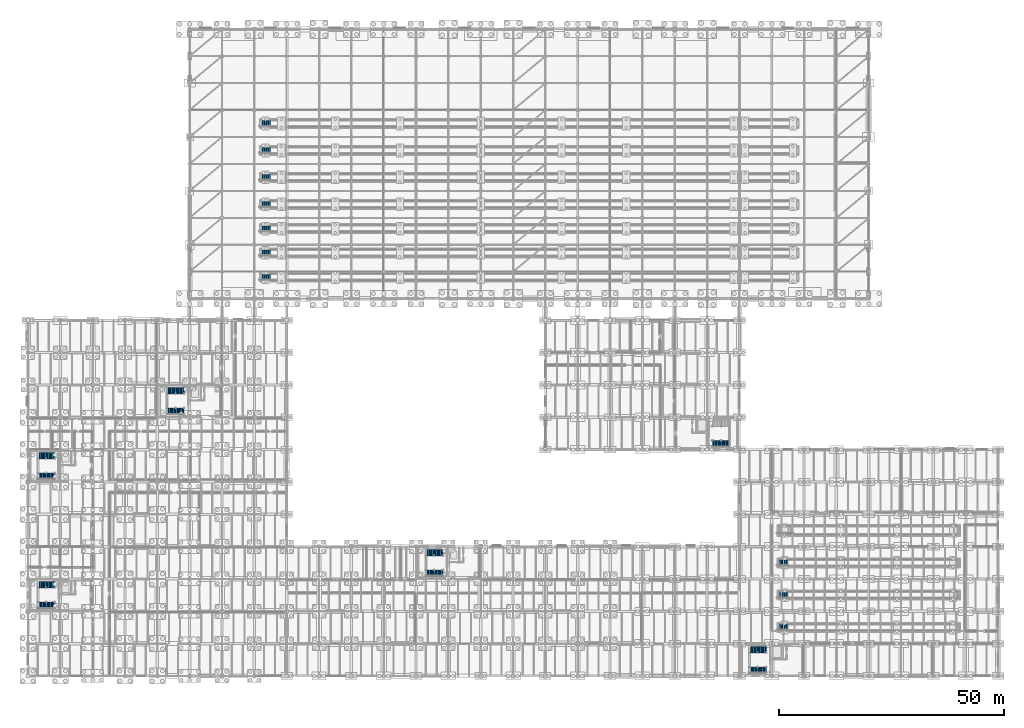
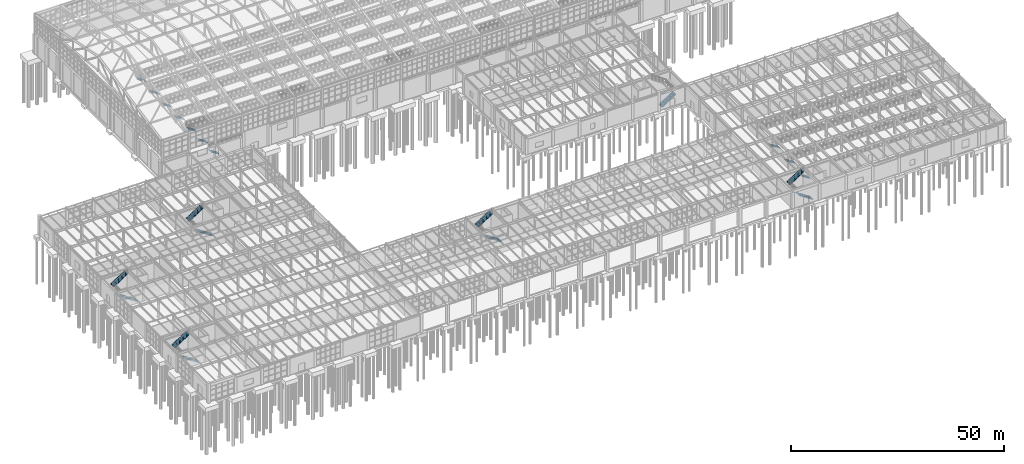
# One storey, part 277 of 293: 21 stair flights, 16 elements without a shape of their own.
"""IFC4 building model written with IfcOpenShell, lengths in metres."""

from ifc_helpers import new_model, si_unit, direction, frame, origin, place, context, subcontext, project, spatial, polyline, outline, extrude, material, layer, layer_set, type_object, element, aggregate, save


model = new_model("IFC4")

# Units and contexts
model_context = context("Model", 3, precision=1e-05, world=origin(), true_north=direction((0.0, 1.0)))
body_context = subcontext(model_context, "Body", "Model", "MODEL_VIEW")
ifc_project = project(units=[si_unit("LENGTHUNIT", "METRE"), si_unit("AREAUNIT", "SQUARE_METRE"), si_unit("VOLUMEUNIT", "CUBIC_METRE"), si_unit("PLANEANGLEUNIT", "RADIAN"), si_unit("MASSUNIT", "GRAM", prefix="KILO")], contexts=[model_context])

# Site, building, storey
site_placement = place(None, origin())
site = spatial("IfcSite", under=ifc_project, at=site_placement, CompositionType="ELEMENT")
building_placement = place(site_placement, origin())
building = spatial("IfcBuilding", under=site, at=building_placement, Name="Kemerveld Promenade Tramway Depot", CompositionType="ELEMENT")
storey_placement = place(building_placement, origin())
storey = spatial("IfcBuildingStorey", under=building, at=storey_placement, Name="L00", CompositionType="ELEMENT", Elevation=0.0)

# Stair, stair flights
ifc_material = material(Name="Concrete C40/50", Category="concrete")
stair_type_1 = type_object("IfcStairType", Name="STR-HT-L00", PredefinedType="HALF_TURN_STAIR", material=ifc_material)
stair_1_placement = place(storey_placement, origin())
stair_1 = element("IfcStair", 1, at=stair_1_placement, inside=storey, type_object=stair_type_1, Name="ST-01-L00", PredefinedType="HALF_TURN_STAIR")
ifc_layer_1 = layer(ifc_material, 0.159912109375)
ifc_layer_set_1 = layer_set([ifc_layer_1], Name="FLT-01")
stair_flight_type_1 = type_object("IfcStairFlightType", Name="FLT-01", PredefinedType="STRAIGHT", material=ifc_layer_set_1)
stair_flight_1_placement = place(storey_placement, frame((5.97998046875, 15.719970703125, 0.0), z_axis=(0.0, 0.0, 1.0), x_axis=(-1.0, 0.0, 0.0)))
stair_flight_1 = element("IfcStairFlight", 2, at=stair_flight_1_placement, type_object=stair_flight_type_1, Name="ST-01-L00 flight 1", NumberOfRisers=16, NumberOfTreads=15, PredefinedType="STRAIGHT", RiserHeight=0.16875, TreadLength=0.256, context=body_context, shape_type="SweptSolid", body=[
    extrude(outline(polyline([(0.0, 0.0), (0.0, 0.168701171875), (0.256103515625, 0.168701171875), (0.256103515625, 0.33740234375), (0.511962890625, 0.33740234375), (0.511962890625, 0.50634765625), (0.76806640625, 0.50634765625), (0.76806640625, 0.675048828125), (1.02392578125, 0.675048828125), (1.02392578125, 0.84375), (1.280029296875, 0.84375), (1.280029296875, 1.012451171875), (1.535888671875, 1.012451171875), (1.535888671875, 1.18115234375), (1.7919921875, 1.18115234375), (1.7919921875, 1.35009765625), (2.048095703125, 1.35009765625), (2.048095703125, 1.518798828125), (2.303955078125, 1.518798828125), (2.303955078125, 1.6875), (2.56005859375, 1.6875), (2.56005859375, 1.856201171875), (2.81591796875, 1.856201171875), (2.81591796875, 2.02490234375), (3.072021484375, 2.02490234375), (3.072021484375, 2.19384765625), (3.327880859375, 2.19384765625), (3.327880859375, 2.362548828125), (3.583984375, 2.362548828125), (3.583984375, 2.53125), (3.840087890625, 2.53125), (3.840087890625, 2.699951171875), (3.840087890625, 2.339599609375), (0.29052734375, 0.0), (0.0, 0.0)])), frame((0.0, 0.72509765625, 0.0), z_axis=(0.0, -1.0, 0.0), x_axis=(1.0, 0.0, 0.0)), (0.0, 0.0, 1.0), 1.449951171875),
])
stair_flight_2_placement = place(storey_placement, frame((2.18994140625, 20.280029296875, 2.699951171875), z_axis=(0.0, 0.0, 1.0), x_axis=(1.0, 0.0, 0.0)))
stair_flight_2 = element("IfcStairFlight", 3, at=stair_flight_2_placement, type_object=stair_flight_type_1, Name="ST-01-L00 flight 2", NumberOfRisers=16, NumberOfTreads=15, PredefinedType="STRAIGHT", RiserHeight=0.16875, TreadLength=0.256, context=body_context, shape_type="SweptSolid", body=[
    extrude(outline(polyline([(0.0, 0.0), (0.0, 0.168701171875), (0.256103515625, 0.168701171875), (0.256103515625, 0.33740234375), (0.511962890625, 0.33740234375), (0.511962890625, 0.50634765625), (0.76806640625, 0.50634765625), (0.76806640625, 0.675048828125), (1.02392578125, 0.675048828125), (1.02392578125, 0.84375), (1.280029296875, 0.84375), (1.280029296875, 1.012451171875), (1.535888671875, 1.012451171875), (1.535888671875, 1.18115234375), (1.7919921875, 1.18115234375), (1.7919921875, 1.35009765625), (2.048095703125, 1.35009765625), (2.048095703125, 1.518798828125), (2.303955078125, 1.518798828125), (2.303955078125, 1.6875), (2.56005859375, 1.6875), (2.56005859375, 1.856201171875), (2.81591796875, 1.856201171875), (2.81591796875, 2.02490234375), (3.072021484375, 2.02490234375), (3.072021484375, 2.19384765625), (3.327880859375, 2.19384765625), (3.327880859375, 2.362548828125), (3.583984375, 2.362548828125), (3.583984375, 2.53125), (3.840087890625, 2.53125), (3.840087890625, 2.699951171875), (3.840087890625, 2.339599609375), (0.29052734375, 0.0), (0.0, 0.0)])), frame((0.0, 0.72509765625, 0.0), z_axis=(0.0, -1.0, 0.0), x_axis=(1.0, 0.0, 0.0)), (0.0, 0.0, 1.0), 1.449951171875),
])
aggregate(stair_1, [stair_flight_1, stair_flight_2])

stair_2_placement = place(storey_placement, origin())
stair_2 = element("IfcStair", 4, at=stair_2_placement, inside=storey, type_object=stair_type_1, Name="ST-02-L00", PredefinedType="HALF_TURN_STAIR")
stair_flight_3_placement = place(storey_placement, frame((5.97998046875, 44.52001953125, 0.0), z_axis=(0.0, 0.0, 1.0), x_axis=(-1.0, 0.0, 0.0)))
stair_flight_3 = element("IfcStairFlight", 5, at=stair_flight_3_placement, type_object=stair_flight_type_1, Name="ST-02-L00 flight 1", NumberOfRisers=16, NumberOfTreads=15, PredefinedType="STRAIGHT", RiserHeight=0.16875, TreadLength=0.256, context=body_context, shape_type="SweptSolid", body=[
    extrude(outline(polyline([(0.0, 0.0), (0.0, 0.168701171875), (0.256103515625, 0.168701171875), (0.256103515625, 0.33740234375), (0.511962890625, 0.33740234375), (0.511962890625, 0.50634765625), (0.76806640625, 0.50634765625), (0.76806640625, 0.675048828125), (1.02392578125, 0.675048828125), (1.02392578125, 0.84375), (1.280029296875, 0.84375), (1.280029296875, 1.012451171875), (1.535888671875, 1.012451171875), (1.535888671875, 1.18115234375), (1.7919921875, 1.18115234375), (1.7919921875, 1.35009765625), (2.048095703125, 1.35009765625), (2.048095703125, 1.518798828125), (2.303955078125, 1.518798828125), (2.303955078125, 1.6875), (2.56005859375, 1.6875), (2.56005859375, 1.856201171875), (2.81591796875, 1.856201171875), (2.81591796875, 2.02490234375), (3.072021484375, 2.02490234375), (3.072021484375, 2.19384765625), (3.327880859375, 2.19384765625), (3.327880859375, 2.362548828125), (3.583984375, 2.362548828125), (3.583984375, 2.53125), (3.840087890625, 2.53125), (3.840087890625, 2.699951171875), (3.840087890625, 2.339599609375), (0.29052734375, 0.0), (0.0, 0.0)])), frame((0.0, 0.72509765625, 0.0), z_axis=(0.0, -1.0, 0.0), x_axis=(1.0, 0.0, 0.0)), (0.0, 0.0, 1.0), 1.449951171875),
])
stair_flight_4_placement = place(storey_placement, frame((2.18994140625, 49.080078125, 2.699951171875), z_axis=(0.0, 0.0, 1.0), x_axis=(1.0, 0.0, 0.0)))
stair_flight_4 = element("IfcStairFlight", 6, at=stair_flight_4_placement, type_object=stair_flight_type_1, Name="ST-02-L00 flight 2", NumberOfRisers=16, NumberOfTreads=15, PredefinedType="STRAIGHT", RiserHeight=0.16875, TreadLength=0.256, context=body_context, shape_type="SweptSolid", body=[
    extrude(outline(polyline([(0.0, 0.0), (0.0, 0.168701171875), (0.256103515625, 0.168701171875), (0.256103515625, 0.33740234375), (0.511962890625, 0.33740234375), (0.511962890625, 0.50634765625), (0.76806640625, 0.50634765625), (0.76806640625, 0.675048828125), (1.02392578125, 0.675048828125), (1.02392578125, 0.84375), (1.280029296875, 0.84375), (1.280029296875, 1.012451171875), (1.535888671875, 1.012451171875), (1.535888671875, 1.18115234375), (1.7919921875, 1.18115234375), (1.7919921875, 1.35009765625), (2.048095703125, 1.35009765625), (2.048095703125, 1.518798828125), (2.303955078125, 1.518798828125), (2.303955078125, 1.6875), (2.56005859375, 1.6875), (2.56005859375, 1.856201171875), (2.81591796875, 1.856201171875), (2.81591796875, 2.02490234375), (3.072021484375, 2.02490234375), (3.072021484375, 2.19384765625), (3.327880859375, 2.19384765625), (3.327880859375, 2.362548828125), (3.583984375, 2.362548828125), (3.583984375, 2.53125), (3.840087890625, 2.53125), (3.840087890625, 2.699951171875), (3.840087890625, 2.339599609375), (0.29052734375, 0.0), (0.0, 0.0)])), frame((0.0, 0.72509765625, 0.0), z_axis=(0.0, -1.0, 0.0), x_axis=(1.0, 0.0, 0.0)), (0.0, 0.0, 1.0), 1.449951171875),
])
aggregate(stair_2, [stair_flight_3, stair_flight_4])

stair_3_placement = place(storey_placement, origin())
stair_3 = element("IfcStair", 7, at=stair_3_placement, inside=storey, type_object=stair_type_1, Name="ST-03-L00", PredefinedType="HALF_TURN_STAIR")
stair_flight_5_placement = place(storey_placement, frame((34.780029296875, 58.919921875, 0.0), z_axis=(0.0, 0.0, 1.0), x_axis=(-1.0, 0.0, 0.0)))
stair_flight_5 = element("IfcStairFlight", 8, at=stair_flight_5_placement, type_object=stair_flight_type_1, Name="ST-03-L00 flight 1", NumberOfRisers=16, NumberOfTreads=15, PredefinedType="STRAIGHT", RiserHeight=0.16875, TreadLength=0.256, context=body_context, shape_type="SweptSolid", body=[
    extrude(outline(polyline([(0.0, 0.0), (0.0, 0.168701171875), (0.256103515625, 0.168701171875), (0.256103515625, 0.33740234375), (0.511962890625, 0.33740234375), (0.511962890625, 0.50634765625), (0.76806640625, 0.50634765625), (0.76806640625, 0.675048828125), (1.02392578125, 0.675048828125), (1.02392578125, 0.84375), (1.280029296875, 0.84375), (1.280029296875, 1.012451171875), (1.535888671875, 1.012451171875), (1.535888671875, 1.18115234375), (1.7919921875, 1.18115234375), (1.7919921875, 1.35009765625), (2.048095703125, 1.35009765625), (2.048095703125, 1.518798828125), (2.303955078125, 1.518798828125), (2.303955078125, 1.6875), (2.56005859375, 1.6875), (2.56005859375, 1.856201171875), (2.81591796875, 1.856201171875), (2.81591796875, 2.02490234375), (3.072021484375, 2.02490234375), (3.072021484375, 2.19384765625), (3.327880859375, 2.19384765625), (3.327880859375, 2.362548828125), (3.583984375, 2.362548828125), (3.583984375, 2.53125), (3.840087890625, 2.53125), (3.840087890625, 2.699951171875), (3.840087890625, 2.339599609375), (0.29052734375, 0.0), (0.0, 0.0)])), frame((0.0, 0.72509765625, 0.0), z_axis=(0.0, -1.0, 0.0), x_axis=(1.0, 0.0, 0.0)), (0.0, 0.0, 1.0), 1.449951171875),
])
stair_flight_6_placement = place(storey_placement, frame((30.989990234375, 63.47998046875, 2.699951171875), z_axis=(0.0, 0.0, 1.0), x_axis=(1.0, 0.0, 0.0)))
stair_flight_6 = element("IfcStairFlight", 9, at=stair_flight_6_placement, type_object=stair_flight_type_1, Name="ST-03-L00 flight 2", NumberOfRisers=16, NumberOfTreads=15, PredefinedType="STRAIGHT", RiserHeight=0.16875, TreadLength=0.256, context=body_context, shape_type="SweptSolid", body=[
    extrude(outline(polyline([(0.0, 0.0), (0.0, 0.168701171875), (0.256103515625, 0.168701171875), (0.256103515625, 0.33740234375), (0.511962890625, 0.33740234375), (0.511962890625, 0.50634765625), (0.76806640625, 0.50634765625), (0.76806640625, 0.675048828125), (1.02392578125, 0.675048828125), (1.02392578125, 0.84375), (1.280029296875, 0.84375), (1.280029296875, 1.012451171875), (1.535888671875, 1.012451171875), (1.535888671875, 1.18115234375), (1.7919921875, 1.18115234375), (1.7919921875, 1.35009765625), (2.048095703125, 1.35009765625), (2.048095703125, 1.518798828125), (2.303955078125, 1.518798828125), (2.303955078125, 1.6875), (2.56005859375, 1.6875), (2.56005859375, 1.856201171875), (2.81591796875, 1.856201171875), (2.81591796875, 2.02490234375), (3.072021484375, 2.02490234375), (3.072021484375, 2.19384765625), (3.327880859375, 2.19384765625), (3.327880859375, 2.362548828125), (3.583984375, 2.362548828125), (3.583984375, 2.53125), (3.840087890625, 2.53125), (3.840087890625, 2.699951171875), (3.840087890625, 2.339599609375), (0.29052734375, 0.0), (0.0, 0.0)])), frame((0.0, 0.72509765625, 0.0), z_axis=(0.0, -1.0, 0.0), x_axis=(1.0, 0.0, 0.0)), (0.0, 0.0, 1.0), 1.449951171875),
])
aggregate(stair_3, [stair_flight_5, stair_flight_6])

stair_4_placement = place(storey_placement, origin())
stair_4 = element("IfcStair", 10, at=stair_4_placement, inside=storey, type_object=stair_type_1, Name="ST-04-L00", PredefinedType="HALF_TURN_STAIR")
stair_flight_7_placement = place(storey_placement, frame((92.3798828125, 22.919921875, 0.0), z_axis=(0.0, 0.0, 1.0), x_axis=(-1.0, 0.0, 0.0)))
stair_flight_7 = element("IfcStairFlight", 11, at=stair_flight_7_placement, type_object=stair_flight_type_1, Name="ST-04-L00 flight 1", NumberOfRisers=16, NumberOfTreads=15, PredefinedType="STRAIGHT", RiserHeight=0.16875, TreadLength=0.256, context=body_context, shape_type="SweptSolid", body=[
    extrude(outline(polyline([(0.0, 0.0), (0.0, 0.168701171875), (0.256103515625, 0.168701171875), (0.256103515625, 0.33740234375), (0.511962890625, 0.33740234375), (0.511962890625, 0.50634765625), (0.76806640625, 0.50634765625), (0.76806640625, 0.675048828125), (1.02392578125, 0.675048828125), (1.02392578125, 0.84375), (1.280029296875, 0.84375), (1.280029296875, 1.012451171875), (1.535888671875, 1.012451171875), (1.535888671875, 1.18115234375), (1.7919921875, 1.18115234375), (1.7919921875, 1.35009765625), (2.048095703125, 1.35009765625), (2.048095703125, 1.518798828125), (2.303955078125, 1.518798828125), (2.303955078125, 1.6875), (2.56005859375, 1.6875), (2.56005859375, 1.856201171875), (2.81591796875, 1.856201171875), (2.81591796875, 2.02490234375), (3.072021484375, 2.02490234375), (3.072021484375, 2.19384765625), (3.327880859375, 2.19384765625), (3.327880859375, 2.362548828125), (3.583984375, 2.362548828125), (3.583984375, 2.53125), (3.840087890625, 2.53125), (3.840087890625, 2.699951171875), (3.840087890625, 2.339599609375), (0.29052734375, 0.0), (0.0, 0.0)])), frame((0.0, 0.72509765625, 0.0), z_axis=(0.0, -1.0, 0.0), x_axis=(1.0, 0.0, 0.0)), (0.0, 0.0, 1.0), 1.449951171875),
])
stair_flight_8_placement = place(storey_placement, frame((88.590087890625, 27.47998046875, 2.699951171875), z_axis=(0.0, 0.0, 1.0), x_axis=(1.0, 0.0, 0.0)))
stair_flight_8 = element("IfcStairFlight", 12, at=stair_flight_8_placement, type_object=stair_flight_type_1, Name="ST-04-L00 flight 2", NumberOfRisers=16, NumberOfTreads=15, PredefinedType="STRAIGHT", RiserHeight=0.16875, TreadLength=0.256, context=body_context, shape_type="SweptSolid", body=[
    extrude(outline(polyline([(0.0, 0.0), (0.0, 0.168701171875), (0.256103515625, 0.168701171875), (0.256103515625, 0.33740234375), (0.511962890625, 0.33740234375), (0.511962890625, 0.50634765625), (0.76806640625, 0.50634765625), (0.76806640625, 0.675048828125), (1.02392578125, 0.675048828125), (1.02392578125, 0.84375), (1.280029296875, 0.84375), (1.280029296875, 1.012451171875), (1.535888671875, 1.012451171875), (1.535888671875, 1.18115234375), (1.7919921875, 1.18115234375), (1.7919921875, 1.35009765625), (2.048095703125, 1.35009765625), (2.048095703125, 1.518798828125), (2.303955078125, 1.518798828125), (2.303955078125, 1.6875), (2.56005859375, 1.6875), (2.56005859375, 1.856201171875), (2.81591796875, 1.856201171875), (2.81591796875, 2.02490234375), (3.072021484375, 2.02490234375), (3.072021484375, 2.19384765625), (3.327880859375, 2.19384765625), (3.327880859375, 2.362548828125), (3.583984375, 2.362548828125), (3.583984375, 2.53125), (3.840087890625, 2.53125), (3.840087890625, 2.699951171875), (3.840087890625, 2.339599609375), (0.29052734375, 0.0), (0.0, 0.0)])), frame((0.0, 0.72509765625, 0.0), z_axis=(0.0, -1.0, 0.0), x_axis=(1.0, 0.0, 0.0)), (0.0, 0.0, 1.0), 1.449951171875),
])
aggregate(stair_4, [stair_flight_7, stair_flight_8])

stair_5_placement = place(storey_placement, origin())
stair_5 = element("IfcStair", 13, at=stair_5_placement, inside=storey, type_object=stair_type_1, Name="ST-05-L00", PredefinedType="HALF_TURN_STAIR")
stair_flight_9_placement = place(storey_placement, frame((164.3798828125, 1.320068359375, 0.0), z_axis=(0.0, 0.0, 1.0), x_axis=(-1.0, 0.0, 0.0)))
stair_flight_9 = element("IfcStairFlight", 14, at=stair_flight_9_placement, type_object=stair_flight_type_1, Name="ST-05-L00 flight 1", NumberOfRisers=16, NumberOfTreads=15, PredefinedType="STRAIGHT", RiserHeight=0.16875, TreadLength=0.256, context=body_context, shape_type="SweptSolid", body=[
    extrude(outline(polyline([(0.0, 0.0), (0.0, 0.168701171875), (0.256103515625, 0.168701171875), (0.256103515625, 0.33740234375), (0.511962890625, 0.33740234375), (0.511962890625, 0.50634765625), (0.76806640625, 0.50634765625), (0.76806640625, 0.675048828125), (1.02392578125, 0.675048828125), (1.02392578125, 0.84375), (1.280029296875, 0.84375), (1.280029296875, 1.012451171875), (1.535888671875, 1.012451171875), (1.535888671875, 1.18115234375), (1.7919921875, 1.18115234375), (1.7919921875, 1.35009765625), (2.048095703125, 1.35009765625), (2.048095703125, 1.518798828125), (2.303955078125, 1.518798828125), (2.303955078125, 1.6875), (2.56005859375, 1.6875), (2.56005859375, 1.856201171875), (2.81591796875, 1.856201171875), (2.81591796875, 2.02490234375), (3.072021484375, 2.02490234375), (3.072021484375, 2.19384765625), (3.327880859375, 2.19384765625), (3.327880859375, 2.362548828125), (3.583984375, 2.362548828125), (3.583984375, 2.53125), (3.840087890625, 2.53125), (3.840087890625, 2.699951171875), (3.840087890625, 2.339599609375), (0.29052734375, 0.0), (0.0, 0.0)])), frame((0.0, 0.72509765625, 0.0), z_axis=(0.0, -1.0, 0.0), x_axis=(1.0, 0.0, 0.0)), (0.0, 0.0, 1.0), 1.449951171875),
])
stair_flight_10_placement = place(storey_placement, frame((160.590087890625, 5.8798828125, 2.699951171875), z_axis=(0.0, 0.0, 1.0), x_axis=(1.0, 0.0, 0.0)))
stair_flight_10 = element("IfcStairFlight", 15, at=stair_flight_10_placement, type_object=stair_flight_type_1, Name="ST-05-L00 flight 2", NumberOfRisers=16, NumberOfTreads=15, PredefinedType="STRAIGHT", RiserHeight=0.16875, TreadLength=0.256, context=body_context, shape_type="SweptSolid", body=[
    extrude(outline(polyline([(0.0, 0.0), (0.0, 0.168701171875), (0.256103515625, 0.168701171875), (0.256103515625, 0.33740234375), (0.511962890625, 0.33740234375), (0.511962890625, 0.50634765625), (0.76806640625, 0.50634765625), (0.76806640625, 0.675048828125), (1.02392578125, 0.675048828125), (1.02392578125, 0.84375), (1.280029296875, 0.84375), (1.280029296875, 1.012451171875), (1.535888671875, 1.012451171875), (1.535888671875, 1.18115234375), (1.7919921875, 1.18115234375), (1.7919921875, 1.35009765625), (2.048095703125, 1.35009765625), (2.048095703125, 1.518798828125), (2.303955078125, 1.518798828125), (2.303955078125, 1.6875), (2.56005859375, 1.6875), (2.56005859375, 1.856201171875), (2.81591796875, 1.856201171875), (2.81591796875, 2.02490234375), (3.072021484375, 2.02490234375), (3.072021484375, 2.19384765625), (3.327880859375, 2.19384765625), (3.327880859375, 2.362548828125), (3.583984375, 2.362548828125), (3.583984375, 2.53125), (3.840087890625, 2.53125), (3.840087890625, 2.699951171875), (3.840087890625, 2.339599609375), (0.29052734375, 0.0), (0.0, 0.0)])), frame((0.0, 0.72509765625, 0.0), z_axis=(0.0, -1.0, 0.0), x_axis=(1.0, 0.0, 0.0)), (0.0, 0.0, 1.0), 1.449951171875),
])
aggregate(stair_5, [stair_flight_9, stair_flight_10])

# Stair, stair flight
stair_6_placement = place(storey_placement, origin())
stair_6 = element("IfcStair", 16, at=stair_6_placement, inside=storey, type_object=stair_type_1, Name="ST-06-L00", PredefinedType="HALF_TURN_STAIR")
stair_flight_11_placement = place(storey_placement, frame((152.419921875, 51.719970703125, 0.0), z_axis=(0.0, 0.0, 1.0), x_axis=(1.0, 0.0, 0.0)))
stair_flight_11 = element("IfcStairFlight", 17, at=stair_flight_11_placement, type_object=stair_flight_type_1, Name="ST-06-L00 flight 1", NumberOfRisers=16, NumberOfTreads=15, PredefinedType="STRAIGHT", RiserHeight=0.16875, TreadLength=0.256, context=body_context, shape_type="SweptSolid", body=[
    extrude(outline(polyline([(0.0, 0.0), (0.0, 0.168701171875), (0.256103515625, 0.168701171875), (0.256103515625, 0.33740234375), (0.511962890625, 0.33740234375), (0.511962890625, 0.50634765625), (0.76806640625, 0.50634765625), (0.76806640625, 0.675048828125), (1.02392578125, 0.675048828125), (1.02392578125, 0.84375), (1.280029296875, 0.84375), (1.280029296875, 1.012451171875), (1.535888671875, 1.012451171875), (1.535888671875, 1.18115234375), (1.7919921875, 1.18115234375), (1.7919921875, 1.35009765625), (2.048095703125, 1.35009765625), (2.048095703125, 1.518798828125), (2.303955078125, 1.518798828125), (2.303955078125, 1.6875), (2.56005859375, 1.6875), (2.56005859375, 1.856201171875), (2.81591796875, 1.856201171875), (2.81591796875, 2.02490234375), (3.072021484375, 2.02490234375), (3.072021484375, 2.19384765625), (3.327880859375, 2.19384765625), (3.327880859375, 2.362548828125), (3.583984375, 2.362548828125), (3.583984375, 2.53125), (3.840087890625, 2.53125), (3.840087890625, 2.699951171875), (3.840087890625, 2.339599609375), (0.29052734375, 0.0), (0.0, 0.0)])), frame((0.0, 0.72509765625, 0.0), z_axis=(0.0, -1.0, 0.0), x_axis=(1.0, 0.0, 0.0)), (0.0, 0.0, 1.0), 1.449951171875),
])
aggregate(stair_6, [stair_flight_11])

stair_type_2 = type_object("IfcStairType", Name="STR-PIT-155", PredefinedType="STRAIGHT_RUN_STAIR", material=ifc_material)
stair_7_placement = place(storey_placement, origin())
stair_7 = element("IfcStair", 18, at=stair_7_placement, inside=storey, type_object=stair_type_2, Name="ST-P01", PredefinedType="STRAIGHT_RUN_STAIR")
ifc_layer_2 = layer(ifc_material, 0.050048828125)
ifc_layer_set_2 = layer_set([ifc_layer_2], Name="FLT-04")
stair_flight_type_2 = type_object("IfcStairFlightType", Name="FLT-04", PredefinedType="STRAIGHT", material=ifc_layer_set_2)
stair_flight_12_placement = place(storey_placement, frame((53.969970703125, 88.800048828125, -1.550048828125), z_axis=(0.0, 0.0, 1.0), x_axis=(-1.0, 0.0, 0.0)))
stair_flight_12 = element("IfcStairFlight", 19, at=stair_flight_12_placement, type_object=stair_flight_type_2, Name="ST-P01 flight 1", NumberOfRisers=9, NumberOfTreads=8, PredefinedType="STRAIGHT", RiserHeight=0.172222222, TreadLength=0.29, context=body_context, shape_type="SweptSolid", body=[
    extrude(outline(polyline([(0.0, 0.0), (0.0, 0.172119140625), (0.2900390625, 0.172119140625), (0.2900390625, 0.344482421875), (0.580078125, 0.344482421875), (0.580078125, 0.5166015625), (0.8701171875, 0.5166015625), (0.8701171875, 0.68896484375), (1.159912109375, 0.68896484375), (1.159912109375, 0.861083984375), (1.449951171875, 0.861083984375), (1.449951171875, 1.033447265625), (1.739990234375, 1.033447265625), (1.739990234375, 1.20556640625), (2.030029296875, 1.20556640625), (2.030029296875, 1.377685546875), (2.320068359375, 1.377685546875), (2.320068359375, 1.550048828125), (2.320068359375, 1.319580078125), (0.097900390625, 0.0), (0.0, 0.0)])), frame((0.0, 0.625, 0.0), z_axis=(0.0, -1.0, 0.0), x_axis=(1.0, 0.0, 0.0)), (0.0, 0.0, 1.0), 1.25),
])
aggregate(stair_7, [stair_flight_12])

stair_8_placement = place(storey_placement, origin())
stair_8 = element("IfcStair", 20, at=stair_8_placement, inside=storey, type_object=stair_type_2, Name="ST-P02", PredefinedType="STRAIGHT_RUN_STAIR")
stair_flight_13_placement = place(storey_placement, frame((53.969970703125, 94.199951171875, -1.550048828125), z_axis=(0.0, 0.0, 1.0), x_axis=(-1.0, 0.0, 0.0)))
stair_flight_13 = element("IfcStairFlight", 21, at=stair_flight_13_placement, type_object=stair_flight_type_2, Name="ST-P02 flight 1", NumberOfRisers=9, NumberOfTreads=8, PredefinedType="STRAIGHT", RiserHeight=0.172222222, TreadLength=0.29, context=body_context, shape_type="SweptSolid", body=[
    extrude(outline(polyline([(0.0, 0.0), (0.0, 0.172119140625), (0.2900390625, 0.172119140625), (0.2900390625, 0.344482421875), (0.580078125, 0.344482421875), (0.580078125, 0.5166015625), (0.8701171875, 0.5166015625), (0.8701171875, 0.68896484375), (1.159912109375, 0.68896484375), (1.159912109375, 0.861083984375), (1.449951171875, 0.861083984375), (1.449951171875, 1.033447265625), (1.739990234375, 1.033447265625), (1.739990234375, 1.20556640625), (2.030029296875, 1.20556640625), (2.030029296875, 1.377685546875), (2.320068359375, 1.377685546875), (2.320068359375, 1.550048828125), (2.320068359375, 1.319580078125), (0.097900390625, 0.0), (0.0, 0.0)])), frame((0.0, 0.625, 0.0), z_axis=(0.0, -1.0, 0.0), x_axis=(1.0, 0.0, 0.0)), (0.0, 0.0, 1.0), 1.25),
])
aggregate(stair_8, [stair_flight_13])

stair_9_placement = place(storey_placement, origin())
stair_9 = element("IfcStair", 22, at=stair_9_placement, inside=storey, type_object=stair_type_2, Name="ST-P03", PredefinedType="STRAIGHT_RUN_STAIR")
stair_flight_14_placement = place(storey_placement, frame((53.969970703125, 99.60009765625, -1.550048828125), z_axis=(0.0, 0.0, 1.0), x_axis=(-1.0, 0.0, 0.0)))
stair_flight_14 = element("IfcStairFlight", 23, at=stair_flight_14_placement, type_object=stair_flight_type_2, Name="ST-P03 flight 1", NumberOfRisers=9, NumberOfTreads=8, PredefinedType="STRAIGHT", RiserHeight=0.172222222, TreadLength=0.29, context=body_context, shape_type="SweptSolid", body=[
    extrude(outline(polyline([(0.0, 0.0), (0.0, 0.172119140625), (0.2900390625, 0.172119140625), (0.2900390625, 0.344482421875), (0.580078125, 0.344482421875), (0.580078125, 0.5166015625), (0.8701171875, 0.5166015625), (0.8701171875, 0.68896484375), (1.159912109375, 0.68896484375), (1.159912109375, 0.861083984375), (1.449951171875, 0.861083984375), (1.449951171875, 1.033447265625), (1.739990234375, 1.033447265625), (1.739990234375, 1.20556640625), (2.030029296875, 1.20556640625), (2.030029296875, 1.377685546875), (2.320068359375, 1.377685546875), (2.320068359375, 1.550048828125), (2.320068359375, 1.319580078125), (0.097900390625, 0.0), (0.0, 0.0)])), frame((0.0, 0.625, 0.0), z_axis=(0.0, -1.0, 0.0), x_axis=(1.0, 0.0, 0.0)), (0.0, 0.0, 1.0), 1.25),
])
aggregate(stair_9, [stair_flight_14])

stair_10_placement = place(storey_placement, origin())
stair_10 = element("IfcStair", 24, at=stair_10_placement, inside=storey, type_object=stair_type_2, Name="ST-P04", PredefinedType="STRAIGHT_RUN_STAIR")
stair_flight_15_placement = place(storey_placement, frame((53.969970703125, 105.0, -1.550048828125), z_axis=(0.0, 0.0, 1.0), x_axis=(-1.0, 0.0, 0.0)))
stair_flight_15 = element("IfcStairFlight", 25, at=stair_flight_15_placement, type_object=stair_flight_type_2, Name="ST-P04 flight 1", NumberOfRisers=9, NumberOfTreads=8, PredefinedType="STRAIGHT", RiserHeight=0.172222222, TreadLength=0.29, context=body_context, shape_type="SweptSolid", body=[
    extrude(outline(polyline([(0.0, 0.0), (0.0, 0.172119140625), (0.2900390625, 0.172119140625), (0.2900390625, 0.344482421875), (0.580078125, 0.344482421875), (0.580078125, 0.5166015625), (0.8701171875, 0.5166015625), (0.8701171875, 0.68896484375), (1.159912109375, 0.68896484375), (1.159912109375, 0.861083984375), (1.449951171875, 0.861083984375), (1.449951171875, 1.033447265625), (1.739990234375, 1.033447265625), (1.739990234375, 1.20556640625), (2.030029296875, 1.20556640625), (2.030029296875, 1.377685546875), (2.320068359375, 1.377685546875), (2.320068359375, 1.550048828125), (2.320068359375, 1.319580078125), (0.097900390625, 0.0), (0.0, 0.0)])), frame((0.0, 0.625, 0.0), z_axis=(0.0, -1.0, 0.0), x_axis=(1.0, 0.0, 0.0)), (0.0, 0.0, 1.0), 1.25),
])
aggregate(stair_10, [stair_flight_15])

stair_11_placement = place(storey_placement, origin())
stair_11 = element("IfcStair", 26, at=stair_11_placement, inside=storey, type_object=stair_type_2, Name="ST-P05", PredefinedType="STRAIGHT_RUN_STAIR")
stair_flight_16_placement = place(storey_placement, frame((53.969970703125, 111.0, -1.550048828125), z_axis=(0.0, 0.0, 1.0), x_axis=(-1.0, 0.0, 0.0)))
stair_flight_16 = element("IfcStairFlight", 27, at=stair_flight_16_placement, type_object=stair_flight_type_2, Name="ST-P05 flight 1", NumberOfRisers=9, NumberOfTreads=8, PredefinedType="STRAIGHT", RiserHeight=0.172222222, TreadLength=0.29, context=body_context, shape_type="SweptSolid", body=[
    extrude(outline(polyline([(0.0, 0.0), (0.0, 0.172119140625), (0.2900390625, 0.172119140625), (0.2900390625, 0.344482421875), (0.580078125, 0.344482421875), (0.580078125, 0.5166015625), (0.8701171875, 0.5166015625), (0.8701171875, 0.68896484375), (1.159912109375, 0.68896484375), (1.159912109375, 0.861083984375), (1.449951171875, 0.861083984375), (1.449951171875, 1.033447265625), (1.739990234375, 1.033447265625), (1.739990234375, 1.20556640625), (2.030029296875, 1.20556640625), (2.030029296875, 1.377685546875), (2.320068359375, 1.377685546875), (2.320068359375, 1.550048828125), (2.320068359375, 1.319580078125), (0.097900390625, 0.0), (0.0, 0.0)])), frame((0.0, 0.625, 0.0), z_axis=(0.0, -1.0, 0.0), x_axis=(1.0, 0.0, 0.0)), (0.0, 0.0, 1.0), 1.25),
])
aggregate(stair_11, [stair_flight_16])

stair_12_placement = place(storey_placement, origin())
stair_12 = element("IfcStair", 28, at=stair_12_placement, inside=storey, type_object=stair_type_2, Name="ST-P06", PredefinedType="STRAIGHT_RUN_STAIR")
stair_flight_17_placement = place(storey_placement, frame((53.969970703125, 117.0, -1.550048828125), z_axis=(0.0, 0.0, 1.0), x_axis=(-1.0, 0.0, 0.0)))
stair_flight_17 = element("IfcStairFlight", 29, at=stair_flight_17_placement, type_object=stair_flight_type_2, Name="ST-P06 flight 1", NumberOfRisers=9, NumberOfTreads=8, PredefinedType="STRAIGHT", RiserHeight=0.172222222, TreadLength=0.29, context=body_context, shape_type="SweptSolid", body=[
    extrude(outline(polyline([(0.0, 0.0), (0.0, 0.172119140625), (0.2900390625, 0.172119140625), (0.2900390625, 0.344482421875), (0.580078125, 0.344482421875), (0.580078125, 0.5166015625), (0.8701171875, 0.5166015625), (0.8701171875, 0.68896484375), (1.159912109375, 0.68896484375), (1.159912109375, 0.861083984375), (1.449951171875, 0.861083984375), (1.449951171875, 1.033447265625), (1.739990234375, 1.033447265625), (1.739990234375, 1.20556640625), (2.030029296875, 1.20556640625), (2.030029296875, 1.377685546875), (2.320068359375, 1.377685546875), (2.320068359375, 1.550048828125), (2.320068359375, 1.319580078125), (0.097900390625, 0.0), (0.0, 0.0)])), frame((0.0, 0.625, 0.0), z_axis=(0.0, -1.0, 0.0), x_axis=(1.0, 0.0, 0.0)), (0.0, 0.0, 1.0), 1.25),
])
aggregate(stair_12, [stair_flight_17])

stair_13_placement = place(storey_placement, origin())
stair_13 = element("IfcStair", 30, at=stair_13_placement, inside=storey, type_object=stair_type_2, Name="ST-P07", PredefinedType="STRAIGHT_RUN_STAIR")
stair_flight_18_placement = place(storey_placement, frame((53.969970703125, 123.0, -1.550048828125), z_axis=(0.0, 0.0, 1.0), x_axis=(-1.0, 0.0, 0.0)))
stair_flight_18 = element("IfcStairFlight", 31, at=stair_flight_18_placement, type_object=stair_flight_type_2, Name="ST-P07 flight 1", NumberOfRisers=9, NumberOfTreads=8, PredefinedType="STRAIGHT", RiserHeight=0.172222222, TreadLength=0.29, context=body_context, shape_type="SweptSolid", body=[
    extrude(outline(polyline([(0.0, 0.0), (0.0, 0.172119140625), (0.2900390625, 0.172119140625), (0.2900390625, 0.344482421875), (0.580078125, 0.344482421875), (0.580078125, 0.5166015625), (0.8701171875, 0.5166015625), (0.8701171875, 0.68896484375), (1.159912109375, 0.68896484375), (1.159912109375, 0.861083984375), (1.449951171875, 0.861083984375), (1.449951171875, 1.033447265625), (1.739990234375, 1.033447265625), (1.739990234375, 1.20556640625), (2.030029296875, 1.20556640625), (2.030029296875, 1.377685546875), (2.320068359375, 1.377685546875), (2.320068359375, 1.550048828125), (2.320068359375, 1.319580078125), (0.097900390625, 0.0), (0.0, 0.0)])), frame((0.0, 0.625, 0.0), z_axis=(0.0, -1.0, 0.0), x_axis=(1.0, 0.0, 0.0)), (0.0, 0.0, 1.0), 1.25),
])
aggregate(stair_13, [stair_flight_18])

stair_14_placement = place(storey_placement, origin())
stair_14 = element("IfcStair", 32, at=stair_14_placement, inside=storey, type_object=stair_type_2, Name="ST-P08", PredefinedType="STRAIGHT_RUN_STAIR")
stair_flight_19_placement = place(storey_placement, frame((169.169921875, 10.800048828125, -1.550048828125), z_axis=(0.0, 0.0, 1.0), x_axis=(-1.0, 0.0, 0.0)))
stair_flight_19 = element("IfcStairFlight", 33, at=stair_flight_19_placement, type_object=stair_flight_type_2, Name="ST-P08 flight 1", NumberOfRisers=9, NumberOfTreads=8, PredefinedType="STRAIGHT", RiserHeight=0.172222222, TreadLength=0.29, context=body_context, shape_type="SweptSolid", body=[
    extrude(outline(polyline([(0.0, 0.0), (0.0, 0.172119140625), (0.2900390625, 0.172119140625), (0.2900390625, 0.344482421875), (0.580078125, 0.344482421875), (0.580078125, 0.5166015625), (0.8701171875, 0.5166015625), (0.8701171875, 0.68896484375), (1.159912109375, 0.68896484375), (1.159912109375, 0.861083984375), (1.449951171875, 0.861083984375), (1.449951171875, 1.033447265625), (1.739990234375, 1.033447265625), (1.739990234375, 1.20556640625), (2.030029296875, 1.20556640625), (2.030029296875, 1.377685546875), (2.320068359375, 1.377685546875), (2.320068359375, 1.550048828125), (2.320068359375, 1.319580078125), (0.097900390625, 0.0), (0.0, 0.0)])), frame((0.0, 0.625, 0.0), z_axis=(0.0, -1.0, 0.0), x_axis=(1.0, 0.0, 0.0)), (0.0, 0.0, 1.0), 1.25),
])
aggregate(stair_14, [stair_flight_19])

stair_15_placement = place(storey_placement, origin())
stair_15 = element("IfcStair", 34, at=stair_15_placement, inside=storey, type_object=stair_type_2, Name="ST-P09", PredefinedType="STRAIGHT_RUN_STAIR")
stair_flight_20_placement = place(storey_placement, frame((169.169921875, 18.0, -1.550048828125), z_axis=(0.0, 0.0, 1.0), x_axis=(-1.0, 0.0, 0.0)))
stair_flight_20 = element("IfcStairFlight", 35, at=stair_flight_20_placement, type_object=stair_flight_type_2, Name="ST-P09 flight 1", NumberOfRisers=9, NumberOfTreads=8, PredefinedType="STRAIGHT", RiserHeight=0.172222222, TreadLength=0.29, context=body_context, shape_type="SweptSolid", body=[
    extrude(outline(polyline([(0.0, 0.0), (0.0, 0.172119140625), (0.2900390625, 0.172119140625), (0.2900390625, 0.344482421875), (0.580078125, 0.344482421875), (0.580078125, 0.5166015625), (0.8701171875, 0.5166015625), (0.8701171875, 0.68896484375), (1.159912109375, 0.68896484375), (1.159912109375, 0.861083984375), (1.449951171875, 0.861083984375), (1.449951171875, 1.033447265625), (1.739990234375, 1.033447265625), (1.739990234375, 1.20556640625), (2.030029296875, 1.20556640625), (2.030029296875, 1.377685546875), (2.320068359375, 1.377685546875), (2.320068359375, 1.550048828125), (2.320068359375, 1.319580078125), (0.097900390625, 0.0), (0.0, 0.0)])), frame((0.0, 0.625, 0.0), z_axis=(0.0, -1.0, 0.0), x_axis=(1.0, 0.0, 0.0)), (0.0, 0.0, 1.0), 1.25),
])
aggregate(stair_15, [stair_flight_20])

stair_16_placement = place(storey_placement, origin())
stair_16 = element("IfcStair", 36, at=stair_16_placement, inside=storey, type_object=stair_type_2, Name="ST-P10", PredefinedType="STRAIGHT_RUN_STAIR")
stair_flight_21_placement = place(storey_placement, frame((169.169921875, 25.199951171875, -1.550048828125), z_axis=(0.0, 0.0, 1.0), x_axis=(-1.0, 0.0, 0.0)))
stair_flight_21 = element("IfcStairFlight", 37, at=stair_flight_21_placement, type_object=stair_flight_type_2, Name="ST-P10 flight 1", NumberOfRisers=9, NumberOfTreads=8, PredefinedType="STRAIGHT", RiserHeight=0.172222222, TreadLength=0.29, context=body_context, shape_type="SweptSolid", body=[
    extrude(outline(polyline([(0.0, 0.0), (0.0, 0.172119140625), (0.2900390625, 0.172119140625), (0.2900390625, 0.344482421875), (0.580078125, 0.344482421875), (0.580078125, 0.5166015625), (0.8701171875, 0.5166015625), (0.8701171875, 0.68896484375), (1.159912109375, 0.68896484375), (1.159912109375, 0.861083984375), (1.449951171875, 0.861083984375), (1.449951171875, 1.033447265625), (1.739990234375, 1.033447265625), (1.739990234375, 1.20556640625), (2.030029296875, 1.20556640625), (2.030029296875, 1.377685546875), (2.320068359375, 1.377685546875), (2.320068359375, 1.550048828125), (2.320068359375, 1.319580078125), (0.097900390625, 0.0), (0.0, 0.0)])), frame((0.0, 0.625, 0.0), z_axis=(0.0, -1.0, 0.0), x_axis=(1.0, 0.0, 0.0)), (0.0, 0.0, 1.0), 1.25),
])
aggregate(stair_16, [stair_flight_21])

save(model, "model.ifc")
